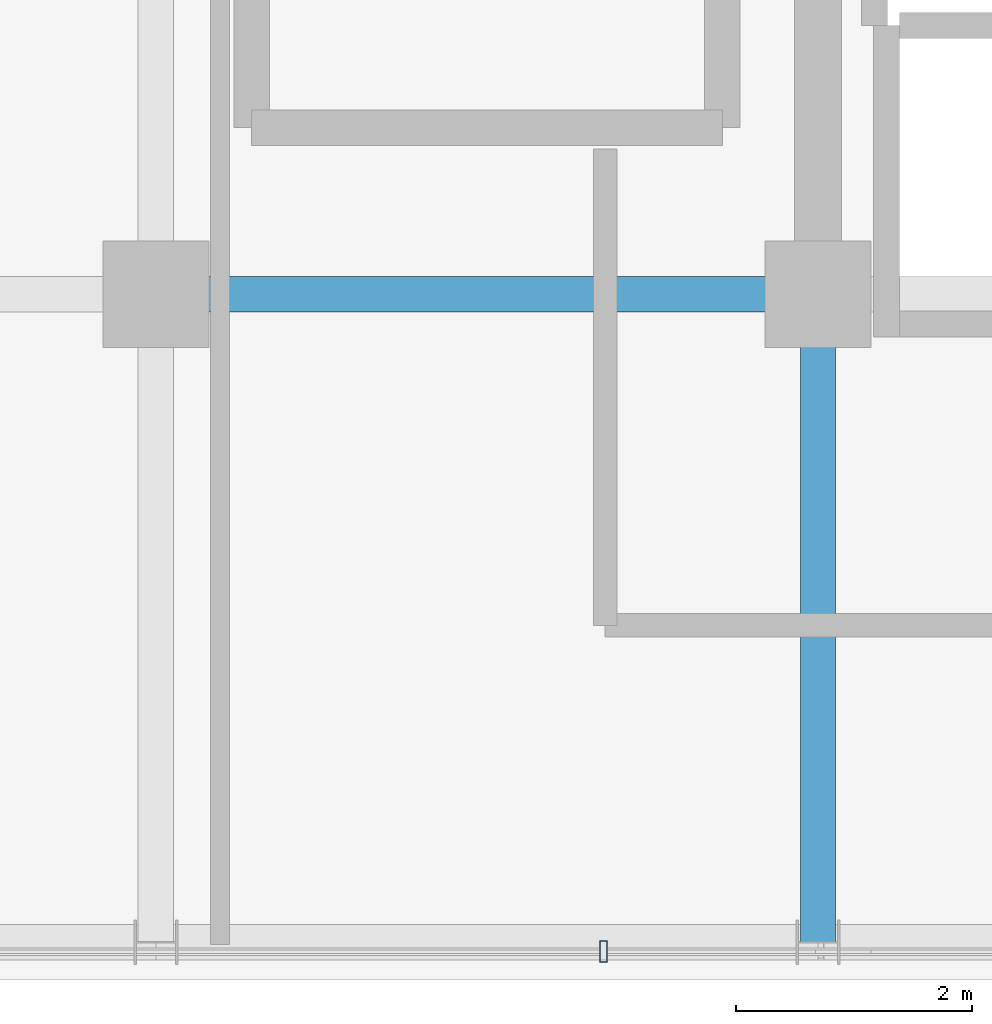
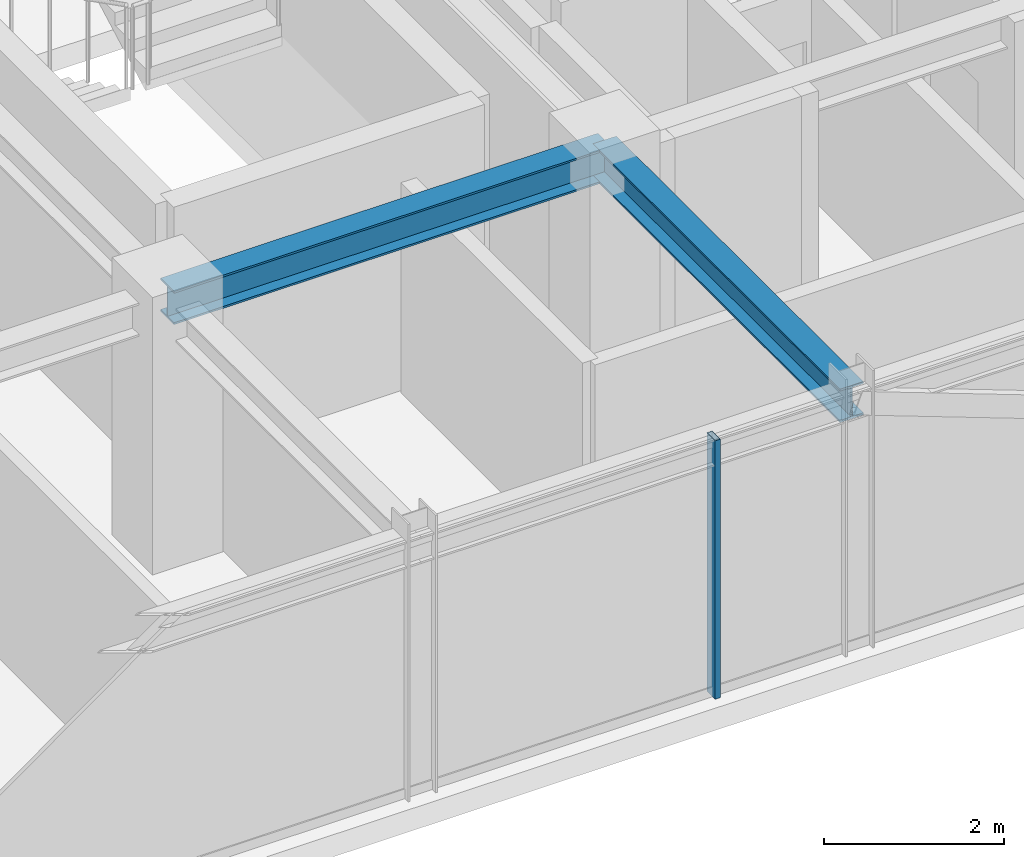
# One storey, part 8 of 31: 2 beams, 1 member, 1 element without a shape of its own.
"""IFC4 building model written with IfcOpenShell, lengths in metres."""

from ifc_helpers import new_model, si_unit, direction, frame, origin, origin_2d, place, context, subcontext, project, spatial, hollow_rectangle, i_section, extrude, source, transform, mapped, material, material_profile, profile_set, type_object, element, aggregate, save


model = new_model("IFC4")

# Units and contexts
model_context = context("Model", 3, precision=1e-05, world=origin(), true_north=direction((0.0, 1.0)))
body_context = subcontext(model_context, "Body", "Model", "MODEL_VIEW")
ifc_project = project(units=[si_unit("LENGTHUNIT", "METRE"), si_unit("AREAUNIT", "SQUARE_METRE"), si_unit("VOLUMEUNIT", "CUBIC_METRE"), si_unit("PLANEANGLEUNIT", "RADIAN"), si_unit("MASSUNIT", "GRAM", prefix="KILO")], contexts=[model_context])

# Site, building, storey
site_placement = place(None, origin())
site = spatial("IfcSite", under=ifc_project, at=site_placement, CompositionType="ELEMENT")
building_placement = place(site_placement, origin())
building = spatial("IfcBuilding", under=site, at=building_placement, Name="Nahalor Promenade Grand Hotel", CompositionType="ELEMENT")
storey_placement = place(building_placement, frame((0.0, 0.0, 327.14990234375)))
storey = spatial("IfcBuildingStorey", under=building, at=storey_placement, Name="L84", CompositionType="ELEMENT", Elevation=327.14990234375)

# Beams
ifc_material_1 = material(Name="Steel S355JR", Category="steel")
ifc_material_profile_1 = material_profile(ifc_material_1, i_section(OverallWidth=0.3, OverallDepth=0.45, WebThickness=0.014, FlangeThickness=0.026, at=origin_2d()), Name="HEB 450")
ifc_profile_set_1 = profile_set([ifc_material_profile_1], Name="Steel S355JR")
beam_type = type_object("IfcBeamType", Name="Beam-Girder-HEB450", PredefinedType="BEAM", material=ifc_profile_set_1)
shared_shape_1 = source(origin(), body_context, "Body", "SweptSolid", [
    extrude(i_section(OverallWidth=0.3, OverallDepth=0.45, WebThickness=0.014, FlangeThickness=0.026, at=origin_2d()), origin(), (0.0, 0.0, 1.0), 5.599853515625),
])
beam_1_placement = place(storey_placement, frame((2.800048828125, -17.0, 3.275146484375), z_axis=(1.0, 0.0, 0.0), x_axis=(0.0, 1.0, 0.0)))
element("IfcBeam", 1, at=beam_1_placement, inside=storey, type_object=beam_type, Name="BM-L84-GX-0-4", PredefinedType="BEAM", context=body_context, shape_type="MappedRepresentation", body=[
    mapped(shared_shape_1, transform((0.0, 0.0, 0.0), scale=1.0)),
])
shared_shape_2 = source(origin(), body_context, "Body", "SweptSolid", [
    extrude(i_section(OverallWidth=0.3, OverallDepth=0.45, WebThickness=0.014, FlangeThickness=0.026, at=origin_2d()), origin(), (0.0, 0.0, 1.0), 5.47998046875),
])
beam_2_placement = place(storey_placement, frame((8.39990234375, -22.47998046875, 3.275146484375), z_axis=(0.0, 1.0, 0.0), x_axis=(-1.0, 0.0, 0.0)))
element("IfcBeam", 2, at=beam_2_placement, inside=storey, type_object=beam_type, Name="BM-L84-GY-4-0", PredefinedType="BEAM", context=body_context, shape_type="MappedRepresentation", body=[
    mapped(shared_shape_2, transform((0.0, 0.0, 0.0), scale=1.0)),
])

# Curtain wall, member
ifc_material_2 = material(Name="Anodised Bronze Aluminium EN AW-6063 T6", Category="aluminium")
curtain_wall_type = type_object("IfcCurtainWallType", Name="CW2 Typical Hotel Flush Bronze Unitised Curtain Wall", PredefinedType="USERDEFINED", material=ifc_material_2)
curtain_wall_placement = place(storey_placement, origin())
curtain_wall = element("IfcCurtainWall", 3, at=curtain_wall_placement, inside=storey, type_object=curtain_wall_type, Name="L84 Curtain Wall CW-L84-S-1", ObjectType="UNITISED_CURTAIN_WALL", PredefinedType="USERDEFINED")
ifc_material_profile_2 = material_profile(ifc_material_2, hollow_rectangle(XDim=0.065, YDim=0.18, WallThickness=0.004, at=origin_2d()), Name="CWM 65x180x4")
ifc_profile_set_2 = profile_set([ifc_material_profile_2], Name="Anodised Bronze Aluminium EN AW-6063 T6")
member_type = type_object("IfcMemberType", Name="CWM2 Typical Bronze Mullion 65x180", PredefinedType="MULLION", material=ifc_profile_set_2)
shared_shape_3 = source(origin(), body_context, "Body", "SweptSolid", [
    extrude(hollow_rectangle(XDim=0.065, YDim=0.18, WallThickness=0.004, at=origin_2d()), origin(), (0.0, 0.0, 1.0), 3.5),
])
member_placement = place(storey_placement, frame((6.586669921875, -22.56005859375, 0.0), z_axis=(0.0, 0.0, 1.0), x_axis=(1.0, 0.0, 0.0)))
member = element("IfcMember", 4, at=member_placement, type_object=member_type, Name="CW-L84-S-1 Mullion 2", PredefinedType="MULLION", context=body_context, shape_type="MappedRepresentation", body=[
    mapped(shared_shape_3, transform((0.0, 0.0, 0.0), scale=1.0)),
])
aggregate(curtain_wall, [member])

save(model, "model.ifc")
